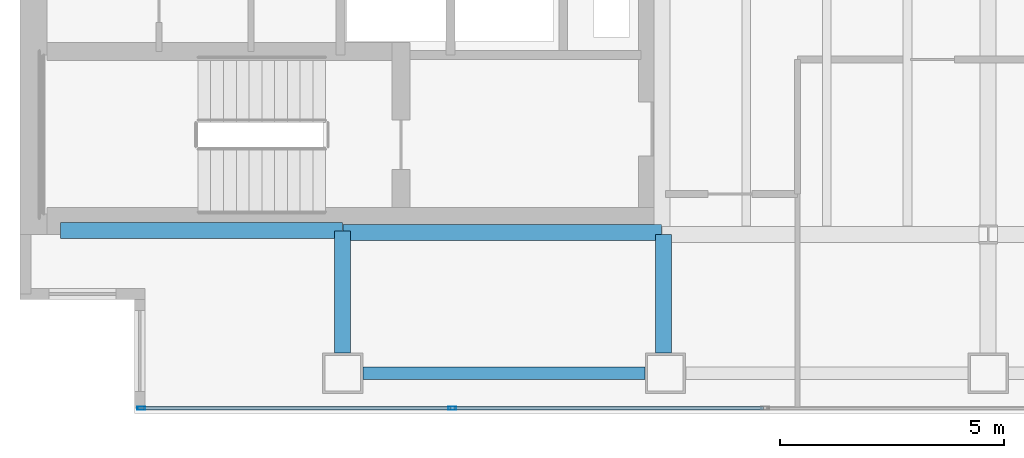
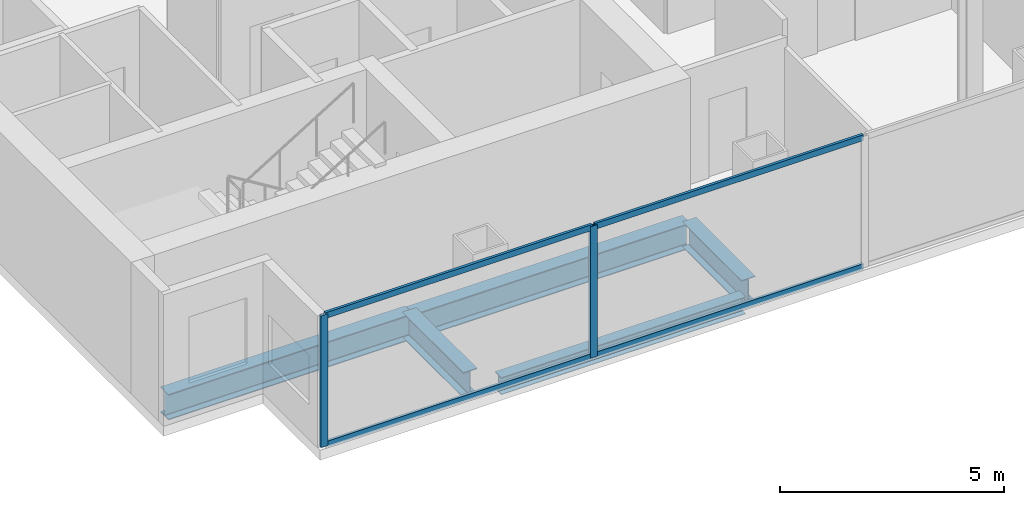
# One storey, part 2 of 23: 6 members, 5 beams, 1 element without a shape of its own.
"""IFC4 building model written with IfcOpenShell, lengths in metres."""

from ifc_helpers import new_model, si_unit, direction, frame, origin, origin_2d, place, context, subcontext, project, spatial, hollow_rectangle, i_section, extrude, material, material_profile, profile_set, type_object, element, aggregate, save


model = new_model("IFC4")

# Units and contexts
model_context = context("Model", 3, precision=1e-05, world=origin(), true_north=direction((0.0, 1.0)))
body_context = subcontext(model_context, "Body", "Model", "MODEL_VIEW")
ifc_project = project(units=[si_unit("LENGTHUNIT", "METRE"), si_unit("AREAUNIT", "SQUARE_METRE"), si_unit("VOLUMEUNIT", "CUBIC_METRE"), si_unit("PLANEANGLEUNIT", "RADIAN"), si_unit("MASSUNIT", "GRAM", prefix="KILO")], contexts=[model_context])

# Site, building, storey
site_placement = place(None, origin())
site = spatial("IfcSite", under=ifc_project, at=site_placement, CompositionType="ELEMENT")
building_placement = place(site_placement, origin())
building = spatial("IfcBuilding", under=site, at=building_placement, Name="Cobrela Telecom Tower", CompositionType="ELEMENT")
storey_placement = place(building_placement, frame((0.0, 0.0, 129.14990234375)))
storey = spatial("IfcBuildingStorey", under=building, at=storey_placement, Name="L32", CompositionType="ELEMENT", Elevation=129.14990234375)

# Beams
ifc_material_1 = material(Name="Steel ASTM A992 Grade 50", Category="steel")
ifc_material_profile_1 = material_profile(ifc_material_1, i_section(OverallWidth=0.35595703125, OverallDepth=0.696044921875, WebThickness=0.015380859375, FlangeThickness=0.024658203125, FilletRadius=0.01806640625, at=origin_2d()), Name="W27X146")
ifc_profile_set_1 = profile_set([ifc_material_profile_1], Name="Steel ASTM A992 Grade 50")
beam_type_1 = type_object("IfcBeamType", Name="BM-GIRD-05", PredefinedType="USERDEFINED", material=ifc_profile_set_1)
beam_1_placement = place(storey_placement, frame((0.905029296875, 7.280029296875, -0.617919921875), z_axis=(1.0, 0.0, 0.0), x_axis=(0.0, 1.0, 0.0)))
element("IfcBeam", 1, at=beam_1_placement, inside=storey, type_object=beam_type_1, Name="L32 Primary Girder X06", ObjectType="GIRDER", PredefinedType="USERDEFINED", context=body_context, shape_type="SweptSolid", body=[
    extrude(i_section(OverallWidth=0.35595703125, OverallDepth=0.696044921875, WebThickness=0.015380859375, FlangeThickness=0.024658203125, FilletRadius=0.01806640625, at=origin_2d()), origin(), (0.0, 0.0, 1.0), 6.2900390625),
])
beam_2_placement = place(storey_placement, frame((7.205078125, 7.239990234375, -0.617919921875), z_axis=(1.0, 0.0, 0.0), x_axis=(0.0, 1.0, 0.0)))
element("IfcBeam", 2, at=beam_2_placement, inside=storey, type_object=beam_type_1, Name="L32 Primary Girder X07", ObjectType="GIRDER", PredefinedType="USERDEFINED", context=body_context, shape_type="SweptSolid", body=[
    extrude(i_section(OverallWidth=0.35595703125, OverallDepth=0.696044921875, WebThickness=0.015380859375, FlangeThickness=0.024658203125, FilletRadius=0.01806640625, at=origin_2d()), origin(), (0.0, 0.0, 1.0), 7.10986328125),
])
beam_3_placement = place(storey_placement, frame((7.199951171875, 4.554931640625, -0.617919921875), z_axis=(0.0, 1.0, 0.0), x_axis=(-1.0, 0.0, 0.0)))
element("IfcBeam", 3, at=beam_3_placement, inside=storey, type_object=beam_type_1, Name="L32 Primary Girder Y31", ObjectType="GIRDER", PredefinedType="USERDEFINED", context=body_context, shape_type="SweptSolid", body=[
    extrude(i_section(OverallWidth=0.35595703125, OverallDepth=0.696044921875, WebThickness=0.015380859375, FlangeThickness=0.024658203125, FilletRadius=0.01806640625, at=origin_2d()), origin(), (0.0, 0.0, 1.0), 2.719970703125),
])
beam_4_placement = place(storey_placement, frame((14.360107421875, 4.554931640625, -0.617919921875), z_axis=(0.0, 1.0, 0.0), x_axis=(-1.0, 0.0, 0.0)))
element("IfcBeam", 4, at=beam_4_placement, inside=storey, type_object=beam_type_1, Name="L32 Primary Girder Y33", ObjectType="GIRDER", PredefinedType="USERDEFINED", context=body_context, shape_type="SweptSolid", body=[
    extrude(i_section(OverallWidth=0.35595703125, OverallDepth=0.696044921875, WebThickness=0.015380859375, FlangeThickness=0.024658203125, FilletRadius=0.01806640625, at=origin_2d()), origin(), (0.0, 0.0, 1.0), 2.64013671875),
])
ifc_material_profile_2 = material_profile(ifc_material_1, i_section(OverallWidth=0.281982421875, OverallDepth=0.467041015625, WebThickness=0.01220703125, FlangeThickness=0.01953125, FilletRadius=0.012939453125, at=origin_2d()), Name="W18X86")
ifc_profile_set_2 = profile_set([ifc_material_profile_2], Name="Steel ASTM A992 Grade 50")
beam_type_2 = type_object("IfcBeamType", Name="BM-SPAND-04", PredefinedType="SPANDREL", material=ifc_profile_set_2)
beam_5_placement = place(storey_placement, frame((7.655029296875, 4.10009765625, -0.50341796875), z_axis=(1.0, 0.0, 0.0), x_axis=(0.0, 1.0, 0.0)))
element("IfcBeam", 5, at=beam_5_placement, inside=storey, type_object=beam_type_2, Name="L32 Perimeter Spandrel X01", PredefinedType="SPANDREL", context=body_context, shape_type="SweptSolid", body=[
    extrude(i_section(OverallWidth=0.281982421875, OverallDepth=0.467041015625, WebThickness=0.01220703125, FlangeThickness=0.01953125, FilletRadius=0.012939453125, at=origin_2d()), origin(), (0.0, 0.0, 1.0), 6.2900390625),
])

# Curtain wall, members
ifc_material_2 = material(Name="Anodized Bronze Aluminium 6063-T6", Category="aluminium")
curtain_wall_type = type_object("IfcCurtainWallType", Name="CW-SYS-TEL", PredefinedType="USERDEFINED", material=ifc_material_2)
curtain_wall_placement = place(storey_placement, origin())
curtain_wall = element("IfcCurtainWall", 6, at=curtain_wall_placement, inside=storey, type_object=curtain_wall_type, Name="L32 Unitised Bronze Curtain Wall 17", ObjectType="UNITISED CURTAIN WALL", PredefinedType="USERDEFINED")
ifc_material_profile_3 = material_profile(ifc_material_2, hollow_rectangle(XDim=0.074951171875, YDim=0.179931640625, WallThickness=0.00390625, at=origin_2d()), Name="ALU 75x180x4")
ifc_profile_set_3 = profile_set([ifc_material_profile_3], Name="Anodized Bronze Aluminium 6063-T6")
member_type_1 = type_object("IfcMemberType", Name="CW-SYS-TEL-MUL", PredefinedType="MULLION", material=ifc_profile_set_3)
member_1_placement = place(storey_placement, frame((9.646728515625, 3.320068359375, 0.0), z_axis=(0.0, 0.0, 1.0), x_axis=(0.0, -1.0, 0.0)))
member_1 = element("IfcMember", 7, at=member_1_placement, type_object=member_type_1, Name="CW-TEL mullion 6", PredefinedType="MULLION", context=body_context, shape_type="SweptSolid", body=[
    extrude(hollow_rectangle(XDim=0.074951171875, YDim=0.179931640625, WallThickness=0.00390625, at=origin_2d()), origin(), (0.0, 0.0, 1.0), 3.580078125),
])
member_2_placement = place(storey_placement, frame((2.70751953125, 3.320068359375, 0.0), z_axis=(0.0, 0.0, 1.0), x_axis=(0.0, -1.0, 0.0)))
member_2 = element("IfcMember", 8, at=member_2_placement, type_object=member_type_1, Name="CW-TEL mullion 7", PredefinedType="MULLION", context=body_context, shape_type="SweptSolid", body=[
    extrude(hollow_rectangle(XDim=0.074951171875, YDim=0.179931640625, WallThickness=0.00390625, at=origin_2d()), origin(), (0.0, 0.0, 1.0), 3.580078125),
])
ifc_material_profile_4 = material_profile(ifc_material_2, hollow_rectangle(XDim=0.070068359375, YDim=0.159912109375, WallThickness=0.00390625, at=origin_2d()), Name="ALU 70x160x4")
ifc_profile_set_4 = profile_set([ifc_material_profile_4], Name="Anodized Bronze Aluminium 6063-T6")
member_type_2 = type_object("IfcMemberType", Name="CW-SYS-TEL-TRN", PredefinedType="USERDEFINED", material=ifc_profile_set_4)
member_3_placement = place(storey_placement, frame((16.5859375, 3.320068359375, 0.03515625), z_axis=(-1.0, 0.0, 0.0), x_axis=(0.0, -1.0, 0.0)))
member_3 = element("IfcMember", 9, at=member_3_placement, type_object=member_type_2, Name="CW-TEL transom 5.1", ObjectType="TRANSOM", PredefinedType="USERDEFINED", context=body_context, shape_type="SweptSolid", body=[
    extrude(hollow_rectangle(XDim=0.070068359375, YDim=0.159912109375, WallThickness=0.00390625, at=origin_2d()), origin(), (0.0, 0.0, 1.0), 6.90185546875),
])
member_4_placement = place(storey_placement, frame((16.5859375, 3.320068359375, 3.545166015625), z_axis=(-1.0, 0.0, 0.0), x_axis=(0.0, -1.0, 0.0)))
member_4 = element("IfcMember", 10, at=member_4_placement, type_object=member_type_2, Name="CW-TEL transom 5.2", ObjectType="TRANSOM", PredefinedType="USERDEFINED", context=body_context, shape_type="SweptSolid", body=[
    extrude(hollow_rectangle(XDim=0.070068359375, YDim=0.159912109375, WallThickness=0.00390625, at=origin_2d()), origin(), (0.0, 0.0, 1.0), 6.90185546875),
])
member_5_placement = place(storey_placement, frame((9.609130859375, 3.320068359375, 0.03515625), z_axis=(-1.0, 0.0, 0.0), x_axis=(0.0, -1.0, 0.0)))
member_5 = element("IfcMember", 11, at=member_5_placement, type_object=member_type_2, Name="CW-TEL transom 6.1", ObjectType="TRANSOM", PredefinedType="USERDEFINED", context=body_context, shape_type="SweptSolid", body=[
    extrude(hollow_rectangle(XDim=0.070068359375, YDim=0.159912109375, WallThickness=0.00390625, at=origin_2d()), origin(), (0.0, 0.0, 1.0), 6.864013671875),
])
member_6_placement = place(storey_placement, frame((9.609130859375, 3.320068359375, 3.545166015625), z_axis=(-1.0, 0.0, 0.0), x_axis=(0.0, -1.0, 0.0)))
member_6 = element("IfcMember", 12, at=member_6_placement, type_object=member_type_2, Name="CW-TEL transom 6.2", ObjectType="TRANSOM", PredefinedType="USERDEFINED", context=body_context, shape_type="SweptSolid", body=[
    extrude(hollow_rectangle(XDim=0.070068359375, YDim=0.159912109375, WallThickness=0.00390625, at=origin_2d()), origin(), (0.0, 0.0, 1.0), 6.864013671875),
])
aggregate(curtain_wall, [member_1, member_2, member_3, member_4, member_5, member_6])

save(model, "model.ifc")
